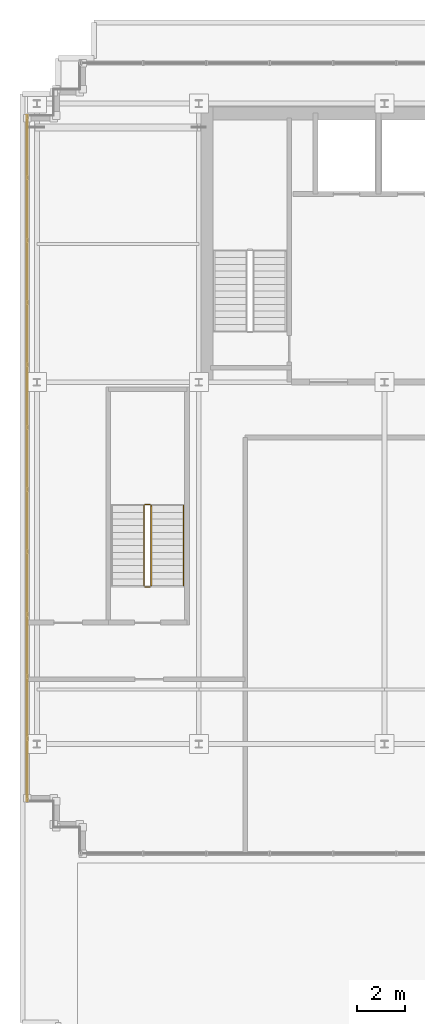
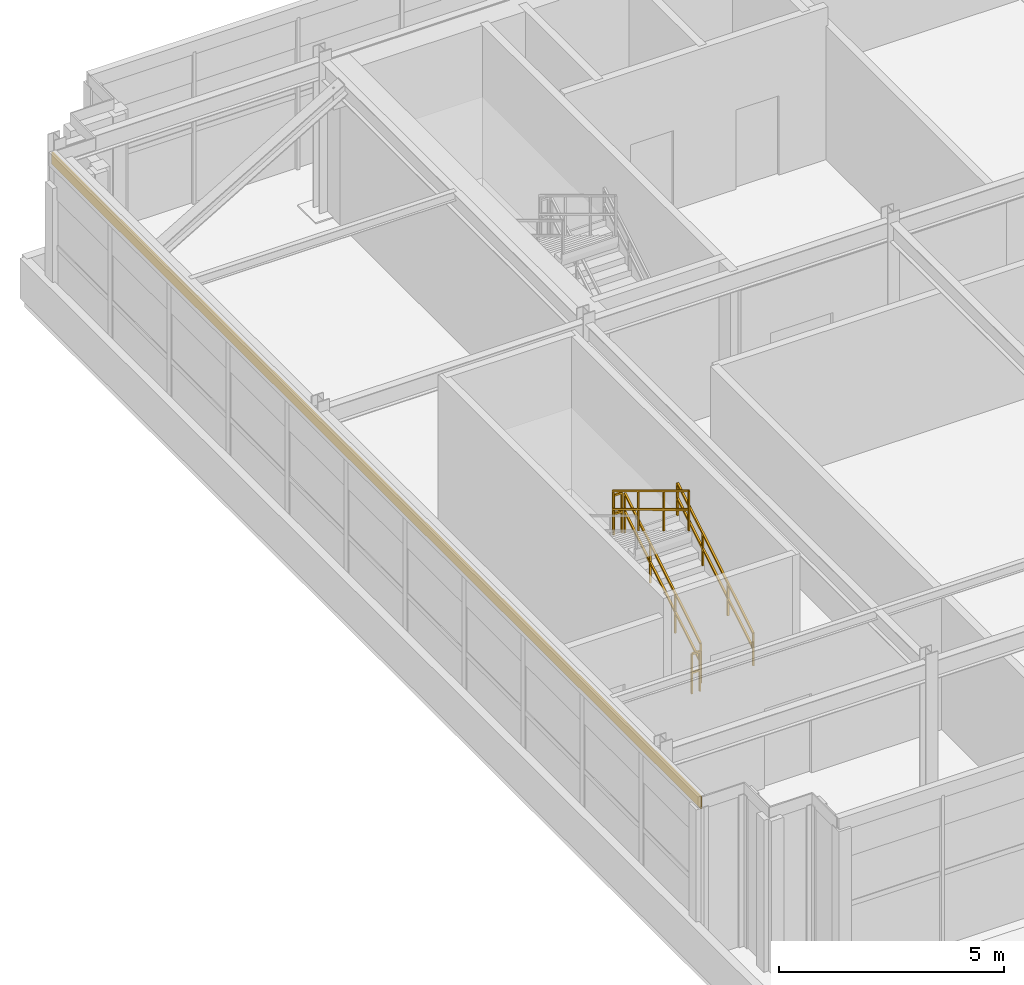
# One storey, part 34 of 38: 5 railings, 1 covering.
"""IFC4 building model written with IfcOpenShell, lengths in metres."""

import ifcopenshell
import ifcopenshell.guid

model = None  # the IFC model being written
_history = None  # IfcOwnerHistory: only IFC2X3 demands one
_inside = {}  # id of a spatial element -> (the spatial element, [elements in it])
_under = {}  # id of a project, library or spatial element -> (it, [spatial elements below it])
_declared = {}  # id of a project -> (the project, [libraries it declares])
_typed = {}  # id of a type object -> (the type object, [elements of that type])
_made_of = {}  # id of a material, layer set ... -> (it, [elements and type objects made of it])


def new_model(schema):
    """Start an empty IFC model of exactly this schema.

    Asked for "IFC4X3", IfcOpenShell would pick the latest addendum, in which some entities
    have other attributes; the version numbers below select the first issue.
    IFC2X3 requires an IfcOwnerHistory on every rooted entity: one is made here for all.
    """
    global model, _history
    if schema == "IFC4X3":
        model = ifcopenshell.file(schema_version=(4, 3, 0, 0))
    else:
        model = ifcopenshell.file(schema=schema)
    _inside.clear()
    _under.clear()
    _declared.clear()
    _typed.clear()
    _made_of.clear()
    _history = None
    if model.schema == "IFC2X3":
        org = make("IfcOrganization", Name="unknown")
        user = make(
            "IfcPersonAndOrganization",
            ThePerson=make("IfcPerson", FamilyName="unknown"),
            TheOrganization=org,
        )
        app = make(
            "IfcApplication",
            ApplicationDeveloper=org,
            Version="unknown",
            ApplicationFullName="unknown",
            ApplicationIdentifier="unknown",
        )
        _history = make(
            "IfcOwnerHistory",
            OwningUser=user,
            OwningApplication=app,
            ChangeAction="ADDED",
            CreationDate=0,
        )
    return model


def make(cls, **values):
    """One entity of the class cls with the attributes given. An attribute that is None is left unset."""
    return model.create_entity(
        cls, **{name: value for name, value in values.items() if value is not None}
    )


def rooted(cls, **values):
    """An entity with a GlobalId (a new one), such as an element, a storey or a relation."""
    return make(cls, GlobalId=ifcopenshell.guid.new(), OwnerHistory=_history, **values)


def si_unit(unit_type, name, prefix=None):
    """IfcSIUnit, for example si_unit("LENGTHUNIT", "METRE", prefix="MILLI")."""
    return make("IfcSIUnit", UnitType=unit_type, Prefix=prefix, Name=name)


def assignment(units):
    """IfcUnitAssignment: the units of a project."""
    return None if units is None else make("IfcUnitAssignment", Units=units)


def point(xyz):
    """IfcCartesianPoint."""
    return None if xyz is None else make("IfcCartesianPoint", Coordinates=xyz)


def direction(xyz):
    """IfcDirection."""
    return None if xyz is None else make("IfcDirection", DirectionRatios=xyz)


def frame(location, z_axis=None, x_axis=None):
    """IfcAxis2Placement3D, a coordinate frame: its origin and axes. An axis left out is left unset."""
    return make(
        "IfcAxis2Placement3D",
        Location=point(location),
        Axis=direction(z_axis),
        RefDirection=direction(x_axis),
    )


def frame_2d(location, x_axis=None):
    """IfcAxis2Placement2D, a coordinate frame in the plane: its origin and x axis."""
    return make(
        "IfcAxis2Placement2D", Location=point(location), RefDirection=direction(x_axis)
    )


def origin():
    """The frame at (0, 0, 0) with its axes left unset."""
    return frame((0.0, 0.0, 0.0))


def origin_2d():
    """The frame at (0, 0) in the plane with its x axis left unset."""
    return frame_2d((0.0, 0.0))


def place(relative_to, where):
    """IfcLocalPlacement: puts the frame where relative to a parent placement (None: the world)."""
    return make(
        "IfcLocalPlacement", PlacementRelTo=relative_to, RelativePlacement=where
    )


def context(
    kind, dimensions, precision=None, world=None, true_north=None, identifier=None
):
    """IfcGeometricRepresentationContext, for example the 3D "Model" context."""
    return make(
        "IfcGeometricRepresentationContext",
        ContextIdentifier=identifier,
        ContextType=kind,
        CoordinateSpaceDimension=dimensions,
        Precision=precision,
        WorldCoordinateSystem=world,
        TrueNorth=true_north,
    )


def subcontext(parent, identifier, kind, view, scale=None):
    """IfcGeometricRepresentationSubContext, for example "Body" below "Model"."""
    return make(
        "IfcGeometricRepresentationSubContext",
        ContextIdentifier=identifier,
        ContextType=kind,
        ParentContext=parent,
        TargetScale=scale,
        TargetView=view,
    )


def project(units=None, contexts=None):
    """IfcProject with its units and contexts."""
    return rooted(
        "IfcProject",
        Name="project",
        RepresentationContexts=contexts,
        UnitsInContext=assignment(units),
    )


def spatial(cls, under=None, at=None, **own):
    """A site, building, storey or space (cls), placed at a placement, below another one or the project."""
    s = rooted(cls, ObjectPlacement=at, **own)
    if under is not None:
        _under.setdefault(under.id(), (under, []))[1].append(s)
    return s


def profile(cls, at=None, kind="AREA", **sizes):
    """A parametric profile (cls). Its sizes go by their IFC names, for example OverallWidth=200.0."""
    return make(cls, ProfileType=kind, Position=at, **sizes)


def rectangle(**sizes):
    """IfcRectangleProfileDef."""
    return profile("IfcRectangleProfileDef", **sizes)


def extrude(swept, where, along, depth):
    """IfcExtrudedAreaSolid: the profile swept, set in the frame where, extruded along a direction by depth."""
    return make(
        "IfcExtrudedAreaSolid",
        SweptArea=swept,
        Position=where,
        ExtrudedDirection=direction(along),
        Depth=depth,
    )


def shape(context_of_items, identifier, shape_type, items):
    """IfcShapeRepresentation: the items that make up one representation, for example the "Body"."""
    return make(
        "IfcShapeRepresentation",
        ContextOfItems=context_of_items,
        RepresentationIdentifier=identifier,
        RepresentationType=shape_type,
        Items=items,
    )


def source(mapping_origin, context_of_items, identifier, shape_type, items):
    """IfcRepresentationMap: a shape defined once, which mapped items show again and again."""
    return make(
        "IfcRepresentationMap",
        MappingOrigin=mapping_origin,
        MappedRepresentation=shape(context_of_items, identifier, shape_type, items),
    )


def transform(
    local_origin,
    x_axis=None,
    y_axis=None,
    z_axis=None,
    scale=None,
    scale2=None,
    scale3=None,
    uniform=True,
):
    """IfcCartesianTransformationOperator3D, or its non-uniform kind. x_axis, y_axis, z_axis: its Axis1, 2, 3."""
    if uniform:
        return make(
            "IfcCartesianTransformationOperator3D",
            Axis1=direction(x_axis),
            Axis2=direction(y_axis),
            LocalOrigin=point(local_origin),
            Scale=scale,
            Axis3=direction(z_axis),
        )
    return make(
        "IfcCartesianTransformationOperator3DnonUniform",
        Axis1=direction(x_axis),
        Axis2=direction(y_axis),
        LocalOrigin=point(local_origin),
        Scale=scale,
        Axis3=direction(z_axis),
        Scale2=scale2,
        Scale3=scale3,
    )


def mapped(mapping_source, mapping_target):
    """IfcMappedItem: shows the shape of a source again, moved by a transform."""
    return make(
        "IfcMappedItem", MappingSource=mapping_source, MappingTarget=mapping_target
    )


def material(Name=None, Category=None):
    """IfcMaterial."""
    return make("IfcMaterial", Name=Name, Category=Category)


def layer(
    of_material, thickness, ventilated=None, Name=None, Category=None, Priority=None
):
    """IfcMaterialLayer: one layer of a wall or slab, of a material (None: an air gap)."""
    return make(
        "IfcMaterialLayer",
        Material=of_material,
        LayerThickness=thickness,
        IsVentilated=ventilated,
        Name=Name,
        Category=Category,
        Priority=Priority,
    )


def layer_set(layers, Name=None):
    """IfcMaterialLayerSet."""
    return make("IfcMaterialLayerSet", MaterialLayers=layers, LayerSetName=Name)


def made_of(thing, what):
    """Note that an element or type object is made of a material, layer set ...; save() writes the relation."""
    if what is not None:
        _made_of.setdefault(what.id(), (what, []))[1].append(thing)
    return thing


def type_object(cls, material=None, **own):
    """A type object (cls), such as IfcWallType, which elements share."""
    return made_of(rooted(cls, **own), material)


def element(
    cls,
    number,
    at=None,
    inside=None,
    cuts=None,
    type_object=None,
    material=None,
    context=None,
    identifier="Body",
    shape_type=None,
    held_by="IfcProductDefinitionShape",
    body=None,
    shapes=None,
    **own,
):
    """One element of the class cls, such as IfcWall. Its Tag is "e" and its number.

    at: its placement. inside: the storey or other place that contains it. cuts: it is an
    opening in that element (IfcRelVoidsElement). A single representation is given by context,
    identifier, shape_type and body (its items); several are given by shapes. held_by: the class
    of the entity that holds the representations. save() writes the other relations.
    """
    e = rooted(cls, Tag="e%d" % number, ObjectPlacement=at, **own)
    if body is not None:
        shapes = [shape(context, identifier, shape_type, body)]
    if shapes is not None:
        e.Representation = make(held_by, Representations=shapes)
    if inside is not None:
        _inside.setdefault(inside.id(), (inside, []))[1].append(e)
    if cuts is not None:
        rooted(
            "IfcRelVoidsElement", RelatingBuildingElement=cuts, RelatedOpeningElement=e
        )
    if type_object is not None:
        _typed.setdefault(type_object.id(), (type_object, []))[1].append(e)
    return made_of(e, material)


def aggregate(whole, parts):
    """IfcRelAggregates: a whole, such as a stair, and the parts it consists of."""
    return rooted("IfcRelAggregates", RelatingObject=whole, RelatedObjects=parts)


def save(model, path):
    """Write the relations noted so far, then the file.

    IfcRelAggregates (storeys below a building ...), IfcRelContainedInSpatialStructure (elements
    in a storey), IfcRelDefinesByType, IfcRelAssociatesMaterial and IfcRelDeclares: one each for
    every whole, place, type object, material and project.
    """
    for whole, parts in _under.values():
        aggregate(whole, parts)
    for where, things in _inside.values():
        rooted(
            "IfcRelContainedInSpatialStructure",
            RelatedElements=things,
            RelatingStructure=where,
        )
    for kind, things in _typed.values():
        rooted("IfcRelDefinesByType", RelatedObjects=things, RelatingType=kind)
    for what, things in _made_of.values():
        rooted("IfcRelAssociatesMaterial", RelatedObjects=things, RelatingMaterial=what)
    for by, libraries in _declared.values():
        rooted("IfcRelDeclares", RelatingContext=by, RelatedDefinitions=libraries)
    model.write(path)


model = new_model("IFC4")

# Units and contexts
model_context = context("Model", 3, precision=1e-05, world=origin(), true_north=direction((0.0, 1.0)))
body_context = subcontext(model_context, "Body", "Model", "MODEL_VIEW")
ifc_project = project(units=[si_unit("LENGTHUNIT", "METRE"), si_unit("AREAUNIT", "SQUARE_METRE"), si_unit("VOLUMEUNIT", "CUBIC_METRE"), si_unit("PLANEANGLEUNIT", "RADIAN"), si_unit("MASSUNIT", "GRAM", prefix="KILO")], contexts=[model_context])

# Site, building, storey
site_placement = place(None, origin())
site = spatial("IfcSite", under=ifc_project, at=site_placement, CompositionType="ELEMENT")
building_placement = place(site_placement, origin())
building = spatial("IfcBuilding", under=site, at=building_placement, Name="Trelvane Seafront Commons", CompositionType="ELEMENT")
storey_placement = place(building_placement, frame((0.0, 0.0, 299.10009765625)))
storey = spatial("IfcBuildingStorey", under=building, at=storey_placement, Name="L78", CompositionType="ELEMENT", Elevation=299.10009765625)

# Railings
ifc_material_1 = material(Name="Stainless steel balustrade", Category="steel")
railing_type_1 = type_object("IfcRailingType", Name="ARCH-SRL-GUARD", PredefinedType="GUARDRAIL", material=ifc_material_1)
railing_1_placement = place(storey_placement, frame((13.60009765625, 24.85009765625, 0.169189453125)))
element("IfcRailing", 1, at=railing_1_placement, inside=storey, type_object=railing_type_1, Name="L78 ST-5 stair guard 1", PredefinedType="GUARDRAIL", context=body_context, shape_type="SweptSolid", body=[
    extrude(rectangle(XDim=0.048095703125, YDim=0.048095703125, at=origin_2d()), frame((0.0, 0.0, 1.076171875), z_axis=(0.0, 0.855820338506, 0.51727318527), x_axis=(-1.0, 0.0, 0.0)), (0.0, 0.0, 1.0), 3.92578125),
    extrude(rectangle(XDim=0.048095703125, YDim=0.048095703125, at=origin_2d()), frame((0.0, 0.0, 0.572021484375), z_axis=(0.0, 0.855820338506, 0.51727318527), x_axis=(-1.0, 0.0, 0.0)), (0.0, 0.0, 1.0), 3.92578125),
    extrude(rectangle(XDim=0.0419921875, YDim=0.0419921875, at=origin_2d()), origin(), (0.0, 0.0, 1.0), 1.076171875),
    extrude(rectangle(XDim=0.0419921875, YDim=0.0419921875, at=origin_2d()), frame((0.0, 1.119873046875, 0.677001953125)), (0.0, 0.0, 1.0), 1.076171875),
    extrude(rectangle(XDim=0.0419921875, YDim=0.0419921875, at=origin_2d()), frame((0.0, 2.239990234375, 1.353759765625)), (0.0, 0.0, 1.0), 1.076171875),
    extrude(rectangle(XDim=0.0419921875, YDim=0.0419921875, at=origin_2d()), frame((0.0, 3.35986328125, 2.03076171875)), (0.0, 0.0, 1.0), 1.076171875),
])
railing_2_placement = place(storey_placement, frame((13.550048828125, 28.260009765625, 2.199951171875)))
element("IfcRailing", 2, at=railing_2_placement, inside=storey, type_object=railing_type_1, Name="L78 ST-5 stair guard 2", PredefinedType="GUARDRAIL", context=body_context, shape_type="SweptSolid", body=[
    extrude(rectangle(XDim=0.048095703125, YDim=0.048095703125, at=origin_2d()), frame((0.0, 0.0, 1.076171875), z_axis=(-1.0, 0.0, 0.0), x_axis=(0.0, -1.0, 0.0)), (0.0, 0.0, 1.0), 0.199951171875),
    extrude(rectangle(XDim=0.048095703125, YDim=0.048095703125, at=origin_2d()), frame((0.0, 0.0, 0.572021484375), z_axis=(-1.0, 0.0, 0.0), x_axis=(0.0, -1.0, 0.0)), (0.0, 0.0, 1.0), 0.199951171875),
    extrude(rectangle(XDim=0.0419921875, YDim=0.0419921875, at=origin_2d()), origin(), (0.0, 0.0, 1.0), 1.076171875),
    extrude(rectangle(XDim=0.0419921875, YDim=0.0419921875, at=origin_2d()), frame((-0.199951171875, 0.0, 0.0)), (0.0, 0.0, 1.0), 1.076171875),
])
railing_3_placement = place(storey_placement, frame((13.300048828125, 28.2099609375, 2.369140625)))
element("IfcRailing", 3, at=railing_3_placement, inside=storey, type_object=railing_type_1, Name="L78 ST-5 stair guard 3", PredefinedType="GUARDRAIL", context=body_context, shape_type="SweptSolid", body=[
    extrude(rectangle(XDim=0.048095703125, YDim=0.048095703125, at=origin_2d()), frame((0.0, 0.0, 1.076171875), z_axis=(0.0, -0.855820338506, 0.51727318527), x_axis=(1.0, 0.0, 0.0)), (0.0, 0.0, 1.0), 3.92578125),
    extrude(rectangle(XDim=0.048095703125, YDim=0.048095703125, at=origin_2d()), frame((0.0, 0.0, 0.572021484375), z_axis=(0.0, -0.855820338506, 0.51727318527), x_axis=(1.0, 0.0, 0.0)), (0.0, 0.0, 1.0), 3.92578125),
    extrude(rectangle(XDim=0.0419921875, YDim=0.0419921875, at=origin_2d()), origin(), (0.0, 0.0, 1.0), 1.076171875),
    extrude(rectangle(XDim=0.0419921875, YDim=0.0419921875, at=origin_2d()), frame((0.0, -1.119873046875, 0.677001953125)), (0.0, 0.0, 1.0), 1.076171875),
    extrude(rectangle(XDim=0.0419921875, YDim=0.0419921875, at=origin_2d()), frame((0.0, -2.239990234375, 1.353759765625)), (0.0, 0.0, 1.0), 1.076171875),
    extrude(rectangle(XDim=0.0419921875, YDim=0.0419921875, at=origin_2d()), frame((0.0, -3.35986328125, 2.03076171875)), (0.0, 0.0, 1.0), 1.076171875),
])
railing_4_placement = place(storey_placement, frame((13.550048828125, 24.800048828125, 0.0)))
element("IfcRailing", 4, at=railing_4_placement, inside=storey, type_object=railing_type_1, Name="L78 ST-5 stair guard 4", PredefinedType="GUARDRAIL", context=body_context, shape_type="SweptSolid", body=[
    extrude(rectangle(XDim=0.048095703125, YDim=0.048095703125, at=origin_2d()), frame((0.0, 0.0, 1.076171875), z_axis=(-1.0, 0.0, 0.0), x_axis=(0.0, -1.0, 0.0)), (0.0, 0.0, 1.0), 0.199951171875),
    extrude(rectangle(XDim=0.048095703125, YDim=0.048095703125, at=origin_2d()), frame((0.0, 0.0, 0.572021484375), z_axis=(-1.0, 0.0, 0.0), x_axis=(0.0, -1.0, 0.0)), (0.0, 0.0, 1.0), 0.199951171875),
    extrude(rectangle(XDim=0.0419921875, YDim=0.0419921875, at=origin_2d()), origin(), (0.0, 0.0, 1.0), 1.076171875),
    extrude(rectangle(XDim=0.0419921875, YDim=0.0419921875, at=origin_2d()), frame((-0.199951171875, 0.0, 0.0)), (0.0, 0.0, 1.0), 1.076171875),
])
railing_type_2 = type_object("IfcRailingType", Name="ARCH-SRL-HAND", PredefinedType="HANDRAIL", material=ifc_material_1)
railing_5_placement = place(storey_placement, frame((14.949951171875, 24.85009765625, 0.169189453125)))
element("IfcRailing", 5, at=railing_5_placement, inside=storey, type_object=railing_type_2, Name="L78 ST-5 stair handrail 1", PredefinedType="HANDRAIL", context=body_context, shape_type="SweptSolid", body=[
    extrude(rectangle(XDim=0.048095703125, YDim=0.048095703125, at=origin_2d()), frame((0.0, 0.0, 0.8759765625), z_axis=(0.0, 0.855820338506, 0.51727318527), x_axis=(-1.0, 0.0, 0.0)), (0.0, 0.0, 1.0), 3.92578125),
    extrude(rectangle(XDim=0.048095703125, YDim=0.048095703125, at=origin_2d()), frame((0.0, 0.0, 0.468017578125), z_axis=(0.0, 0.855820338506, 0.51727318527), x_axis=(-1.0, 0.0, 0.0)), (0.0, 0.0, 1.0), 3.92578125),
    extrude(rectangle(XDim=0.0419921875, YDim=0.0419921875, at=origin_2d()), origin(), (0.0, 0.0, 1.0), 0.8759765625),
    extrude(rectangle(XDim=0.0419921875, YDim=0.0419921875, at=origin_2d()), frame((0.0, 1.119873046875, 0.677001953125)), (0.0, 0.0, 1.0), 0.8759765625),
    extrude(rectangle(XDim=0.0419921875, YDim=0.0419921875, at=origin_2d()), frame((0.0, 2.239990234375, 1.353759765625)), (0.0, 0.0, 1.0), 0.8759765625),
    extrude(rectangle(XDim=0.0419921875, YDim=0.0419921875, at=origin_2d()), frame((0.0, 3.35986328125, 2.03076171875)), (0.0, 0.0, 1.0), 0.8759765625),
])

# Covering
ifc_material_2 = material(Name="Anodised pale-silver aluminium", Category="aluminium")
ifc_layer = layer(ifc_material_2, 0.034912109375, Name="ARCH-COV-CLAD35")
ifc_layer_set = layer_set([ifc_layer], Name="Anodised pale-silver aluminium")
covering_type = type_object("IfcCoveringType", Name="ARCH-COV-CLAD35", PredefinedType="CLADDING", material=ifc_layer_set)
shared_shape = source(origin(), body_context, "Body", "SweptSolid", [
    extrude(rectangle(XDim=28.800048828125, YDim=0.034912109375, at=origin_2d()), origin(), (0.0, 0.0, 1.0), 0.330078125),
])
covering_placement = place(storey_placement, frame((8.39990234375, 30.199951171875, 4.06982421875), z_axis=(0.0, 0.0, 1.0), x_axis=(0.0, 1.0, 0.0)))
element("IfcCovering", 6, at=covering_placement, inside=storey, type_object=covering_type, Name="CLD-L78-0324", PredefinedType="CLADDING", context=body_context, shape_type="MappedRepresentation", body=[
    mapped(shared_shape, transform((0.0, 0.0, 0.0), x_axis=(1.0, 0.0, 0.0), y_axis=(0.0, 1.0, 0.0), z_axis=(0.0, 0.0, 1.0), scale=1.0)),
])

save(model, "model.ifc")
